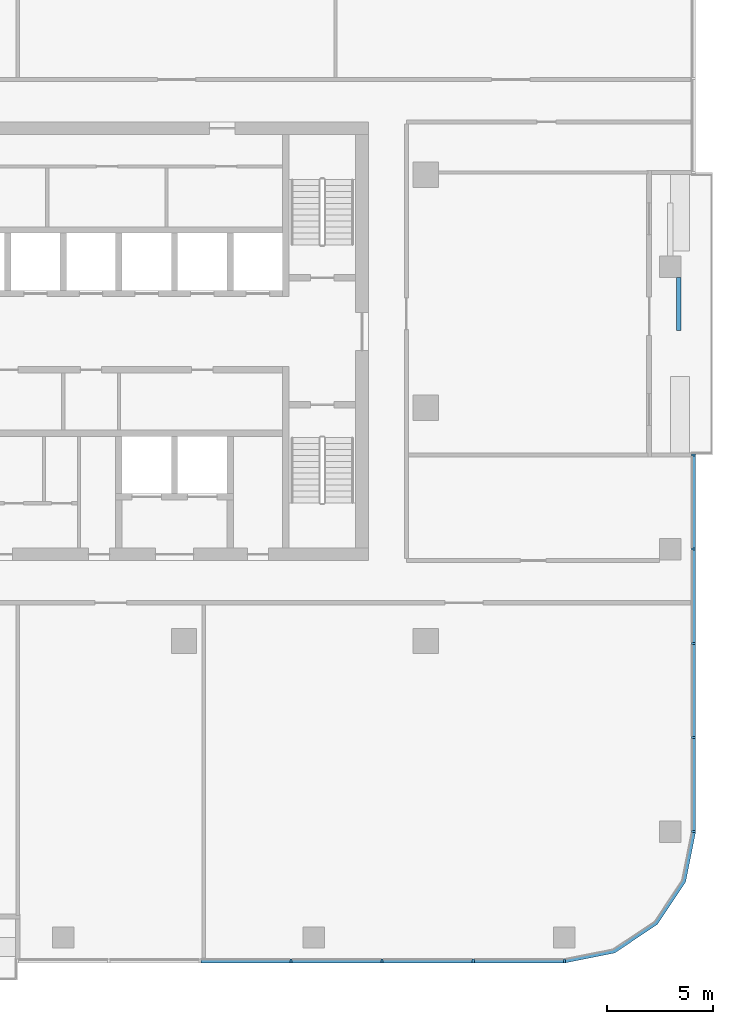
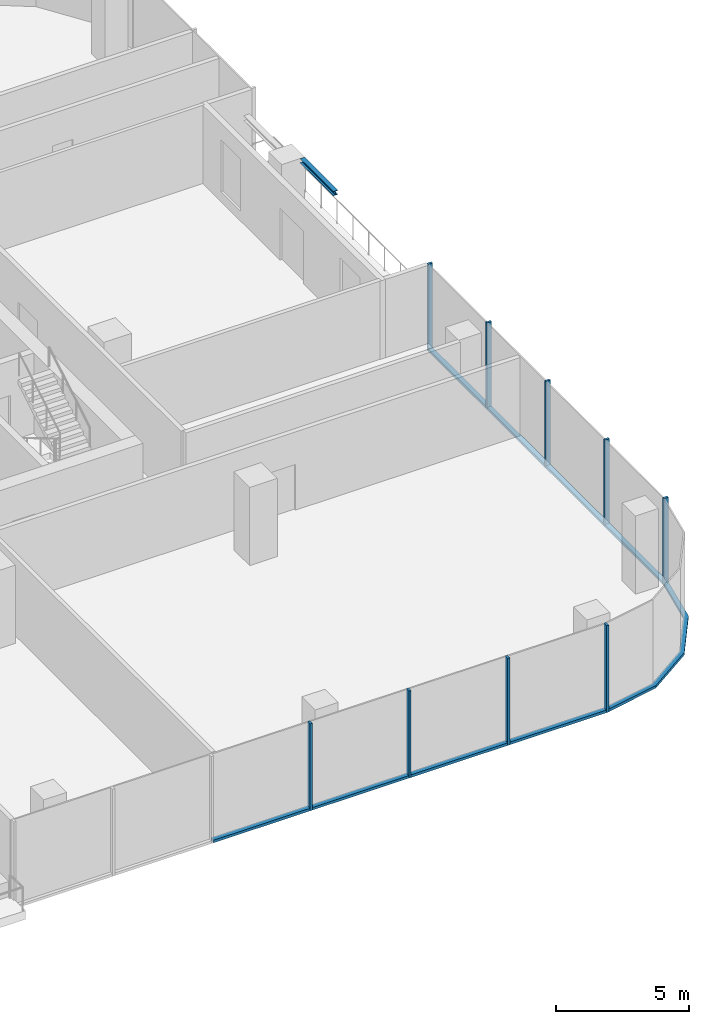
# One storey, part 3 of 13: 18 members, 1 beam, 3 elements without a shape of their own.
"""IFC4 building model written with IfcOpenShell, lengths in metres."""

from ifc_helpers import new_model, si_unit, direction, frame, origin, origin_2d, place, context, subcontext, project, spatial, polyline, rectangle, i_section, outline, extrude, material, material_profile, profile_set, type_object, element, aggregate, save


model = new_model("IFC4")

# Units and contexts
model_context = context("Model", 3, precision=1e-05, world=origin(), true_north=direction((0.0, 1.0)))
body_context = subcontext(model_context, "Body", "Model", "MODEL_VIEW")
ifc_project = project(units=[si_unit("LENGTHUNIT", "METRE"), si_unit("AREAUNIT", "SQUARE_METRE"), si_unit("VOLUMEUNIT", "CUBIC_METRE"), si_unit("PLANEANGLEUNIT", "RADIAN"), si_unit("MASSUNIT", "GRAM", prefix="KILO")], contexts=[model_context])

# Site, building, storey
site_placement = place(None, origin())
site = spatial("IfcSite", under=ifc_project, at=site_placement, CompositionType="ELEMENT")
building_placement = place(site_placement, origin())
building = spatial("IfcBuilding", under=site, at=building_placement, Name="Mopane Tessera Tower", CompositionType="ELEMENT")
storey_placement = place(building_placement, frame((0.0, 0.0, 307.39990234375)))
storey = spatial("IfcBuildingStorey", under=building, at=storey_placement, Name="L67", CompositionType="ELEMENT", Elevation=307.39990234375)

# Curtain wall, members
ifc_material_1 = material(Name="Aluminium frame", Category="aluminium")
curtain_wall_type = type_object("IfcCurtainWallType", Name="Unitised curtain wall", PredefinedType="NOTDEFINED", material=ifc_material_1)
curtain_wall_1_placement = place(storey_placement, origin())
curtain_wall_1 = element("IfcCurtainWall", 1, at=curtain_wall_1_placement, inside=storey, type_object=curtain_wall_type, Name="e:cw:L67:S:5", PredefinedType="NOTDEFINED")
ifc_material_2 = material(Name="Aluminium frame", Category="aluminium")
ifc_material_profile_1 = material_profile(ifc_material_2, rectangle(XDim=0.10009765625, YDim=0.199951171875, at=origin_2d()))
ifc_profile_set_1 = profile_set([ifc_material_profile_1], Name="Aluminium frame")
member_type_1 = type_object("IfcMemberType", Name="Aluminium mullion 100 x 200", PredefinedType="MULLION", material=ifc_profile_set_1)
member_1_placement = place(storey_placement, frame((10.75, -26.10009765625, -0.39990234375), z_axis=(0.0, 0.0, 1.0), x_axis=(1.0, 0.0, 0.0)))
member_1 = element("IfcMember", 2, at=member_1_placement, type_object=member_type_1, Name="e:cw:L67:S:5:mu8", PredefinedType="MULLION", context=body_context, shape_type="SweptSolid", body=[
    extrude(rectangle(XDim=0.10009765625, YDim=0.199951171875, at=origin_2d()), origin(), (0.0, 0.0, 1.0), 4.0),
])
member_2_placement = place(storey_placement, frame((15.050048828125, -26.10009765625, -0.39990234375), z_axis=(0.0, 0.0, 1.0), x_axis=(1.0, 0.0, 0.0)))
member_2 = element("IfcMember", 3, at=member_2_placement, type_object=member_type_1, Name="e:cw:L67:S:5:mu9", PredefinedType="MULLION", context=body_context, shape_type="SweptSolid", body=[
    extrude(rectangle(XDim=0.10009765625, YDim=0.199951171875, at=origin_2d()), origin(), (0.0, 0.0, 1.0), 4.0),
])
member_3_placement = place(storey_placement, frame((19.35009765625, -26.10009765625, -0.39990234375), z_axis=(0.0, 0.0, 1.0), x_axis=(1.0, 0.0, 0.0)))
member_3 = element("IfcMember", 4, at=member_3_placement, type_object=member_type_1, Name="e:cw:L67:S:5:mu10", PredefinedType="MULLION", context=body_context, shape_type="SweptSolid", body=[
    extrude(rectangle(XDim=0.10009765625, YDim=0.199951171875, at=origin_2d()), origin(), (0.0, 0.0, 1.0), 4.0),
])
member_4_placement = place(storey_placement, frame((23.64990234375, -26.10009765625, -0.39990234375), z_axis=(0.0, 0.0, 1.0), x_axis=(1.0, 0.0, 0.0)))
member_4 = element("IfcMember", 5, at=member_4_placement, type_object=member_type_1, Name="e:cw:L67:S:5:mu11", PredefinedType="MULLION", context=body_context, shape_type="SweptSolid", body=[
    extrude(rectangle(XDim=0.10009765625, YDim=0.199951171875, at=origin_2d()), origin(), (0.0, 0.0, 1.0), 4.0),
])

curtain_wall_2_placement = place(storey_placement, origin())
curtain_wall_2 = element("IfcCurtainWall", 6, at=curtain_wall_2_placement, inside=storey, type_object=curtain_wall_type, Name="e:cw:L67:E:0", PredefinedType="NOTDEFINED")
member_5_placement = place(storey_placement, frame((29.75, -20.0, -0.39990234375), z_axis=(0.0, 0.0, 1.0), x_axis=(0.0, 1.0, 0.0)))
member_5 = element("IfcMember", 7, at=member_5_placement, type_object=member_type_1, Name="e:cw:L67:E:0:mu0", PredefinedType="MULLION", context=body_context, shape_type="SweptSolid", body=[
    extrude(rectangle(XDim=0.10009765625, YDim=0.199951171875, at=origin_2d()), origin(), (0.0, 0.0, 1.0), 4.0),
])
member_6_placement = place(storey_placement, frame((29.75, -15.5556640625, -0.39990234375), z_axis=(0.0, 0.0, 1.0), x_axis=(0.0, 1.0, 0.0)))
member_6 = element("IfcMember", 8, at=member_6_placement, type_object=member_type_1, Name="e:cw:L67:E:0:mu1", PredefinedType="MULLION", context=body_context, shape_type="SweptSolid", body=[
    extrude(rectangle(XDim=0.10009765625, YDim=0.199951171875, at=origin_2d()), origin(), (0.0, 0.0, 1.0), 4.0),
])
member_7_placement = place(storey_placement, frame((29.75, -11.111083984375, -0.39990234375), z_axis=(0.0, 0.0, 1.0), x_axis=(0.0, 1.0, 0.0)))
member_7 = element("IfcMember", 9, at=member_7_placement, type_object=member_type_1, Name="e:cw:L67:E:0:mu2", PredefinedType="MULLION", context=body_context, shape_type="SweptSolid", body=[
    extrude(rectangle(XDim=0.10009765625, YDim=0.199951171875, at=origin_2d()), origin(), (0.0, 0.0, 1.0), 4.0),
])
member_8_placement = place(storey_placement, frame((29.75, -6.666748046875, -0.39990234375), z_axis=(0.0, 0.0, 1.0), x_axis=(0.0, 1.0, 0.0)))
member_8 = element("IfcMember", 10, at=member_8_placement, type_object=member_type_1, Name="e:cw:L67:E:0:mu3", PredefinedType="MULLION", context=body_context, shape_type="SweptSolid", body=[
    extrude(rectangle(XDim=0.10009765625, YDim=0.199951171875, at=origin_2d()), origin(), (0.0, 0.0, 1.0), 4.0),
])
member_9_placement = place(storey_placement, frame((29.75, -2.22216796875, -0.39990234375), z_axis=(0.0, 0.0, 1.0), x_axis=(0.0, 1.0, 0.0)))
member_9 = element("IfcMember", 11, at=member_9_placement, type_object=member_type_1, Name="e:cw:L67:E:0:mu4", PredefinedType="MULLION", context=body_context, shape_type="SweptSolid", body=[
    extrude(rectangle(XDim=0.10009765625, YDim=0.199951171875, at=origin_2d()), origin(), (0.0, 0.0, 1.0), 4.0),
])

# Member
ifc_material_3 = material(Name="Aluminium frame", Category="aluminium")
ifc_material_profile_2 = material_profile(ifc_material_3, rectangle(XDim=0.199951171875, YDim=0.1201171875, at=origin_2d()))
ifc_profile_set_2 = profile_set([ifc_material_profile_2], Name="Aluminium frame")
member_type_2 = type_object("IfcMemberType", Name="Aluminium transom 200 x 120", PredefinedType="USERDEFINED", material=ifc_profile_set_2)
member_10_placement = place(storey_placement, frame((6.5, -26.10009765625, -0.33984375), z_axis=(1.0, 0.0, 0.0), x_axis=(0.0, 1.0, 0.0)))
member_10 = element("IfcMember", 12, at=member_10_placement, type_object=member_type_2, Name="e:cw:L67:S:5:tr7", ObjectType="TRANSOM", PredefinedType="USERDEFINED", context=body_context, shape_type="SweptSolid", body=[
    extrude(rectangle(XDim=0.199951171875, YDim=0.1201171875, at=origin_2d()), origin(), (0.0, 0.0, 1.0), 4.199951171875),
])

member_11_placement = place(storey_placement, frame((10.800048828125, -26.10009765625, -0.33984375), z_axis=(1.0, 0.0, 0.0), x_axis=(0.0, 1.0, 0.0)))
member_11 = element("IfcMember", 13, at=member_11_placement, type_object=member_type_2, Name="e:cw:L67:S:5:tr8", ObjectType="TRANSOM", PredefinedType="USERDEFINED", context=body_context, shape_type="SweptSolid", body=[
    extrude(rectangle(XDim=0.199951171875, YDim=0.1201171875, at=origin_2d()), origin(), (0.0, 0.0, 1.0), 4.199951171875),
])

member_12_placement = place(storey_placement, frame((15.10009765625, -26.10009765625, -0.33984375), z_axis=(1.0, 0.0, 0.0), x_axis=(0.0, 1.0, 0.0)))
member_12 = element("IfcMember", 14, at=member_12_placement, type_object=member_type_2, Name="e:cw:L67:S:5:tr9", ObjectType="TRANSOM", PredefinedType="USERDEFINED", context=body_context, shape_type="SweptSolid", body=[
    extrude(rectangle(XDim=0.199951171875, YDim=0.1201171875, at=origin_2d()), origin(), (0.0, 0.0, 1.0), 4.199951171875),
])

member_13_placement = place(storey_placement, frame((19.39990234375, -26.10009765625, -0.33984375), z_axis=(1.0, 0.0, 0.0), x_axis=(0.0, 1.0, 0.0)))
member_13 = element("IfcMember", 15, at=member_13_placement, type_object=member_type_2, Name="e:cw:L67:S:5:tr10", ObjectType="TRANSOM", PredefinedType="USERDEFINED", context=body_context, shape_type="SweptSolid", body=[
    extrude(rectangle(XDim=0.199951171875, YDim=0.1201171875, at=origin_2d()), origin(), (0.0, 0.0, 1.0), 4.2001953125),
])

aggregate(curtain_wall_1, [member_1, member_2, member_3, member_4, member_10, member_11, member_12, member_13])

# Curtain wall, member
curtain_wall_3_placement = place(storey_placement, origin())
curtain_wall_3 = element("IfcCurtainWall", 16, at=curtain_wall_3_placement, inside=storey, type_object=curtain_wall_type, Name="e:cw:L67:CS", PredefinedType="NOTDEFINED")
member_14_placement = place(storey_placement, frame((0.0, 0.0, -0.39990234375)))
member_14 = element("IfcMember", 17, at=member_14_placement, type_object=member_type_2, Name="e:cw:L67:CS:tr", ObjectType="TRANSOM", PredefinedType="USERDEFINED", context=body_context, shape_type="SweptSolid", body=[
    extrude(outline(polyline([(23.64990234375, -26.0), (25.946044921875, -25.543212890625), (27.892578125, -24.24267578125), (29.193359375, -22.296142578125), (29.64990234375, -20.0), (29.85009765625, -20.0), (29.378173828125, -22.37255859375), (28.0341796875, -24.384033203125), (26.022705078125, -25.72802734375), (23.64990234375, -26.199951171875), (23.64990234375, -26.0)])), origin(), (0.0, 0.0, 1.0), 0.1201171875),
])
aggregate(curtain_wall_3, [member_14])

# Member
member_15_placement = place(storey_placement, frame((29.75, -19.949951171875, -0.33984375), z_axis=(0.0, 1.0, 0.0), x_axis=(-1.0, 0.0, 0.0)))
member_15 = element("IfcMember", 18, at=member_15_placement, type_object=member_type_2, Name="e:cw:L67:E:0:tr0", ObjectType="TRANSOM", PredefinedType="USERDEFINED", context=body_context, shape_type="SweptSolid", body=[
    extrude(rectangle(XDim=0.199951171875, YDim=0.1201171875, at=origin_2d()), origin(), (0.0, 0.0, 1.0), 4.344482421875),
])

member_16_placement = place(storey_placement, frame((29.75, -15.505615234375, -0.33984375), z_axis=(0.0, 1.0, 0.0), x_axis=(-1.0, 0.0, 0.0)))
member_16 = element("IfcMember", 19, at=member_16_placement, type_object=member_type_2, Name="e:cw:L67:E:0:tr1", ObjectType="TRANSOM", PredefinedType="USERDEFINED", context=body_context, shape_type="SweptSolid", body=[
    extrude(rectangle(XDim=0.199951171875, YDim=0.1201171875, at=origin_2d()), origin(), (0.0, 0.0, 1.0), 4.344482421875),
])

member_17_placement = place(storey_placement, frame((29.75, -11.06103515625, -0.33984375), z_axis=(0.0, 1.0, 0.0), x_axis=(-1.0, 0.0, 0.0)))
member_17 = element("IfcMember", 20, at=member_17_placement, type_object=member_type_2, Name="e:cw:L67:E:0:tr2", ObjectType="TRANSOM", PredefinedType="USERDEFINED", context=body_context, shape_type="SweptSolid", body=[
    extrude(rectangle(XDim=0.199951171875, YDim=0.1201171875, at=origin_2d()), origin(), (0.0, 0.0, 1.0), 4.344482421875),
])

member_18_placement = place(storey_placement, frame((29.75, -6.61669921875, -0.33984375), z_axis=(0.0, 1.0, 0.0), x_axis=(-1.0, 0.0, 0.0)))
member_18 = element("IfcMember", 21, at=member_18_placement, type_object=member_type_2, Name="e:cw:L67:E:0:tr3", ObjectType="TRANSOM", PredefinedType="USERDEFINED", context=body_context, shape_type="SweptSolid", body=[
    extrude(rectangle(XDim=0.199951171875, YDim=0.1201171875, at=origin_2d()), origin(), (0.0, 0.0, 1.0), 4.344482421875),
])

aggregate(curtain_wall_2, [member_5, member_6, member_7, member_8, member_9, member_15, member_16, member_17, member_18])

# Beam
ifc_material_4 = material(Name="Structural steel S460", Category="steel")
ifc_material_profile_3 = material_profile(ifc_material_4, i_section(OverallWidth=0.199951171875, OverallDepth=0.199951171875, WebThickness=0.009033203125, FlangeThickness=0.014892578125, FilletRadius=0.01806640625, at=origin_2d()))
ifc_profile_set_3 = profile_set([ifc_material_profile_3], Name="Structural steel S460")
beam_type = type_object("IfcBeamType", Name="Terrace trimmer beam HE 200 B", PredefinedType="BEAM", material=ifc_profile_set_3)
beam_placement = place(storey_placement, frame((29.0498046875, 6.163818359375, 3.5), z_axis=(0.0, -1.0, 0.0), x_axis=(1.0, 0.0, 0.0)))
element("IfcBeam", 22, at=beam_placement, inside=storey, type_object=beam_type, Name="Terrace trimmer beam N1 L68", PredefinedType="BEAM", context=body_context, shape_type="SweptSolid", body=[
    extrude(i_section(OverallWidth=0.199951171875, OverallDepth=0.199951171875, WebThickness=0.009033203125, FlangeThickness=0.014892578125, FilletRadius=0.01806640625, at=origin_2d()), origin(), (0.0, 0.0, 1.0), 2.5),
])

save(model, "model.ifc")
